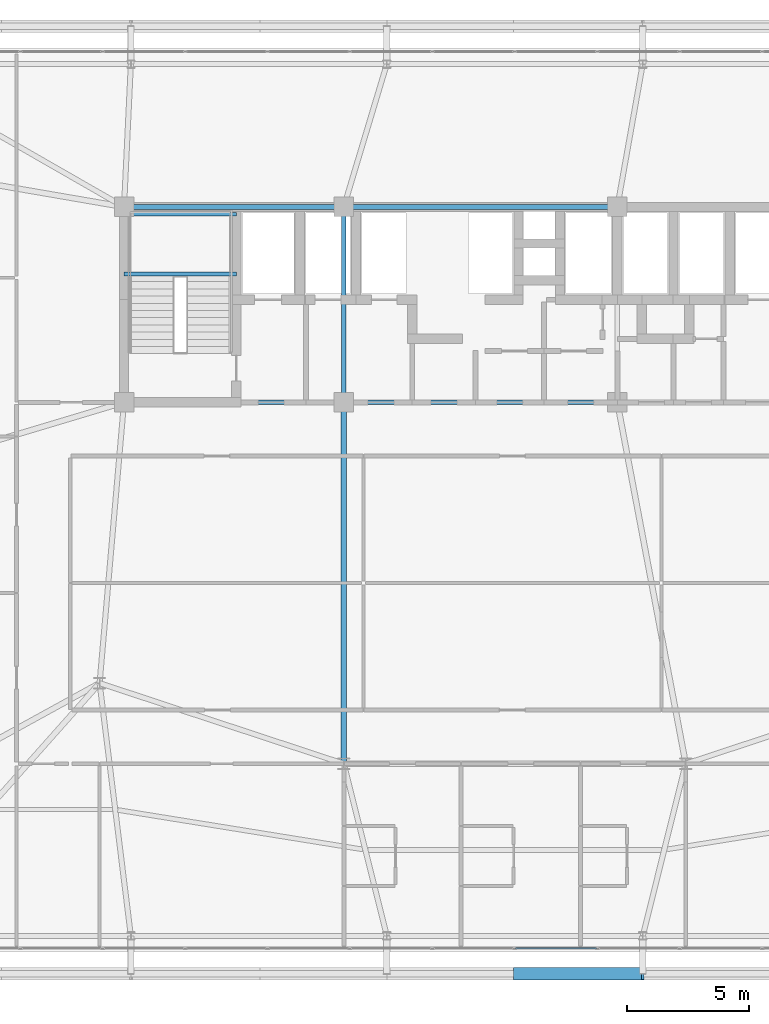
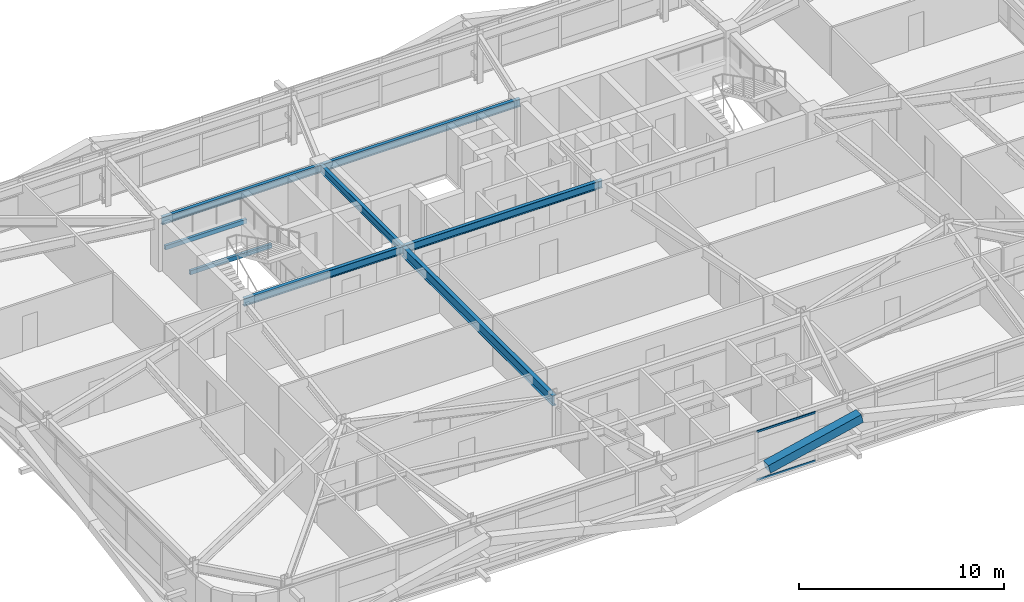
# One storey, part 19 of 59: 8 beams, 3 members, 1 element without a shape of its own.
"""IFC4 building model written with IfcOpenShell, lengths in metres."""

from ifc_helpers import new_model, si_unit, direction, frame, origin, origin_2d, place, context, subcontext, project, spatial, hollow_rectangle, i_section, extrude, source, transform, mapped, material, layer, layer_set, material_profile, profile_set, type_object, element, aggregate, save


model = new_model("IFC4")

# Units and contexts
model_context = context("Model", 3, precision=1e-05, world=origin(), true_north=direction((0.0, 1.0)))
body_context = subcontext(model_context, "Body", "Model", "MODEL_VIEW")
ifc_project = project(units=[si_unit("LENGTHUNIT", "METRE"), si_unit("AREAUNIT", "SQUARE_METRE"), si_unit("VOLUMEUNIT", "CUBIC_METRE"), si_unit("PLANEANGLEUNIT", "RADIAN"), si_unit("MASSUNIT", "GRAM", prefix="KILO")], contexts=[model_context])

# Site, building, storey
site_placement = place(None, origin())
site = spatial("IfcSite", under=ifc_project, at=site_placement, CompositionType="ELEMENT")
building_placement = place(site_placement, origin())
building = spatial("IfcBuilding", under=site, at=building_placement, Name="Taldren Reach Tower", CompositionType="ELEMENT")
storey_placement = place(building_placement, frame((0.0, 0.0, 48.300048828125)))
storey = spatial("IfcBuildingStorey", under=building, at=storey_placement, Name="L14", CompositionType="ELEMENT", Elevation=48.300048828125)

# Beams
ifc_material_1 = material(Name="Steel Gr 350 (350PLUS)", Category="steel")
ifc_material_profile_1 = material_profile(ifc_material_1, i_section(OverallWidth=0.19091796875, OverallDepth=0.4599609375, WebThickness=0.010009765625, FlangeThickness=0.01611328125, at=origin_2d()), Name="460UB82.1")
ifc_profile_set_1 = profile_set([ifc_material_profile_1], Name="Steel Gr 350 (350PLUS)")
beam_type_1 = type_object("IfcBeamType", Name="BM-UB460A", PredefinedType="BEAM", material=ifc_profile_set_1)
shared_shape_1 = source(origin(), body_context, "Body", "SweptSolid", [
    extrude(i_section(OverallWidth=0.19091796875, OverallDepth=0.4599609375, WebThickness=0.010009765625, FlangeThickness=0.01611328125, at=origin_2d()), origin(), (0.0, 0.0, 1.0), 9.0),
])
for number, where, z_axis, x_axis, name in (
    (1, (19.0, 24.0, 2.699951171875), (1.0, 0.0, 0.0), (0.0, 1.0, 0.0), "Core-spine girder L14-SP01"),
    (2, (19.0, 32.0, 2.699951171875), (1.0, 0.0, 0.0), (0.0, 1.0, 0.0), "Core-spine girder L14-SP04"),
):
    element("IfcBeam", number, at=place(storey_placement, frame(where, z_axis=z_axis, x_axis=x_axis)), inside=storey, type_object=beam_type_1, Name=name, PredefinedType="BEAM", context=body_context, shape_type="MappedRepresentation", body=[
        mapped(shared_shape_1, transform((0.0, 0.0, 0.0), scale=1.0)),
    ])
shared_shape_2 = source(origin(), body_context, "Body", "SweptSolid", [
    extrude(i_section(OverallWidth=0.19091796875, OverallDepth=0.4599609375, WebThickness=0.010009765625, FlangeThickness=0.01611328125, at=origin_2d()), origin(), (0.0, 0.0, 1.0), 11.199951171875),
])
for number, where, z_axis, x_axis, name in (
    (3, (28.0, 24.0, 2.699951171875), (1.0, 0.0, 0.0), (0.0, 1.0, 0.0), "Core-spine girder L14-SP02"),
    (4, (28.0, 32.0, 2.699951171875), (1.0, 0.0, 0.0), (0.0, 1.0, 0.0), "Core-spine girder L14-SP05"),
):
    element("IfcBeam", number, at=place(storey_placement, frame(where, z_axis=z_axis, x_axis=x_axis)), inside=storey, type_object=beam_type_1, Name=name, PredefinedType="BEAM", context=body_context, shape_type="MappedRepresentation", body=[
        mapped(shared_shape_2, transform((0.0, 0.0, 0.0), scale=1.0)),
    ])
shared_shape_3 = source(origin(), body_context, "Body", "SweptSolid", [
    extrude(i_section(OverallWidth=0.19091796875, OverallDepth=0.4599609375, WebThickness=0.010009765625, FlangeThickness=0.01611328125, at=origin_2d()), origin(), (0.0, 0.0, 1.0), 8.0),
])
beam_1_placement = place(storey_placement, frame((28.0, 24.0, 2.699951171875), z_axis=(0.0, 1.0, 0.0), x_axis=(-1.0, 0.0, 0.0)))
element("IfcBeam", 5, at=beam_1_placement, inside=storey, type_object=beam_type_1, Name="Core-spine girder L14-SP07", PredefinedType="BEAM", context=body_context, shape_type="MappedRepresentation", body=[
    mapped(shared_shape_3, transform((0.0, 0.0, 0.0), scale=1.0)),
])
ifc_material_profile_2 = material_profile(ifc_material_1, i_section(OverallWidth=0.22802734375, OverallDepth=0.60205078125, WebThickness=0.010498046875, FlangeThickness=0.014892578125, at=origin_2d()), Name="610UB101")
ifc_profile_set_2 = profile_set([ifc_material_profile_2], Name="Steel Gr 350 (350PLUS)")
beam_type_2 = type_object("IfcBeamType", Name="BM-UB610B", PredefinedType="BEAM", material=ifc_profile_set_2)
shared_shape_4 = source(origin(), body_context, "Body", "SweptSolid", [
    extrude(i_section(OverallWidth=0.22802734375, OverallDepth=0.60205078125, WebThickness=0.010498046875, FlangeThickness=0.014892578125, at=origin_2d()), origin(), (0.0, 0.0, 1.0), 14.800048828125),
])
beam_2_placement = place(storey_placement, frame((28.0, 24.0, 2.62890625), z_axis=(0.0, -1.0, 0.0), x_axis=(1.0, 0.0, 0.0)))
element("IfcBeam", 6, at=beam_2_placement, inside=storey, type_object=beam_type_2, Name="Core-spine girder L14-SP14", PredefinedType="BEAM", context=body_context, shape_type="MappedRepresentation", body=[
    mapped(shared_shape_4, transform((0.0, 0.0, 0.0), scale=1.0)),
])

# Member
ifc_material_2 = material(Name="Steel Gr 450 (C450L0)", Category="steel")
ifc_material_profile_3 = material_profile(ifc_material_2, hollow_rectangle(XDim=0.510009765625, YDim=0.510009765625, WallThickness=0.02001953125, at=origin_2d()), Name="510x510x20.0SHS")
ifc_profile_set_3 = profile_set([ifc_material_profile_3], Name="Steel Gr 450 (C450L0)")
member_type_1 = type_object("IfcMemberType", Name="MB-EXO508", PredefinedType="BRACE", material=ifc_profile_set_3)
shared_shape_5 = source(origin(), body_context, "Body", "SweptSolid", [
    extrude(hollow_rectangle(XDim=0.510009765625, YDim=0.510009765625, WallThickness=0.02001953125, at=origin_2d()), origin(), (0.0, 0.0, 1.0), 5.37890625),
])
member_1_placement = place(storey_placement, frame((35.0, 0.60009765625, 1.43505859375), z_axis=(0.974161966843, 0.0, 0.225850531007), x_axis=(0.0, 1.0, 0.0)))
element("IfcMember", 7, at=member_1_placement, inside=storey, type_object=member_type_1, Name="Exoskeleton Diagrid Brace B1-S3 L14", PredefinedType="BRACE", context=body_context, shape_type="MappedRepresentation", body=[
    mapped(shared_shape_5, transform((0.0, 0.0, 0.0), scale=1.0)),
])

# Curtain wall, members
ifc_material_3 = material(Name="Aluminium and Low-E Glass Unitised System", Category="aluminium")
ifc_layer = layer(ifc_material_3, 0.159912109375)
ifc_layer_set = layer_set([ifc_layer], Name="Aluminium and Low-E Glass Unitised System")
curtain_wall_type = type_object("IfcCurtainWallType", Name="CW-SYS-2", PredefinedType="NOTDEFINED", material=ifc_layer_set)
curtain_wall_placement = place(storey_placement, origin())
curtain_wall = element("IfcCurtainWall", 8, at=curtain_wall_placement, inside=storey, type_object=curtain_wall_type, Name="Unitised curtain wall CW-L14-S", PredefinedType="NOTDEFINED")
ifc_material_4 = material(Name="Anodised Aluminium 6063-T6", Category="aluminium")
ifc_material_profile_4 = material_profile(ifc_material_4, hollow_rectangle(XDim=0.054931640625, YDim=0.1201171875, WallThickness=0.0029296875, at=origin_2d()), Name="ALU-120x55x3RHS")
ifc_profile_set_4 = profile_set([ifc_material_profile_4], Name="Anodised Aluminium 6063-T6")
member_type_2 = type_object("IfcMemberType", Name="CW-TRN-135", PredefinedType="USERDEFINED", material=ifc_profile_set_4)
shared_shape_6 = source(origin(), body_context, "Body", "SweptSolid", [
    extrude(hollow_rectangle(XDim=0.054931640625, YDim=0.1201171875, WallThickness=0.0029296875, at=origin_2d()), origin(), (0.0, 0.0, 1.0), 3.31005859375),
])
member_2_placement = place(storey_placement, frame((35.032470703125, 1.639892578125, 0.02734375), z_axis=(1.0, 0.0, 0.0), x_axis=(0.0, 1.0, 0.0)))
member_2 = element("IfcMember", 9, at=member_2_placement, type_object=member_type_2, Name="CW-2 transom 9.1", ObjectType="TRANSOM", PredefinedType="USERDEFINED", context=body_context, shape_type="MappedRepresentation", body=[
    mapped(shared_shape_6, transform((0.0, 0.0, 0.0), scale=1.0)),
])
member_3_placement = place(storey_placement, frame((35.032470703125, 1.639892578125, 2.90234375), z_axis=(1.0, 0.0, 0.0), x_axis=(0.0, 1.0, 0.0)))
member_3 = element("IfcMember", 10, at=member_3_placement, type_object=member_type_2, Name="CW-2 transom 9.2", ObjectType="TRANSOM", PredefinedType="USERDEFINED", context=body_context, shape_type="MappedRepresentation", body=[
    mapped(shared_shape_6, transform((0.0, 0.0, 0.0), scale=1.0)),
])
aggregate(curtain_wall, [member_2, member_3])

# Beams
ifc_material_5 = material(Name="Steel Gr 350 (C350L0)", Category="steel")
ifc_material_profile_5 = material_profile(ifc_material_5, hollow_rectangle(XDim=0.14990234375, YDim=0.25, WallThickness=0.009033203125, at=origin_2d()), Name="250x150x9.0RHS")
ifc_profile_set_5 = profile_set([ifc_material_profile_5], Name="Steel Gr 350 (C350L0)")
beam_type_3 = type_object("IfcBeamType", Name="LN-RHS250", PredefinedType="LINTEL", material=ifc_profile_set_5)
shared_shape_7 = source(origin(), body_context, "Body", "SweptSolid", [
    extrude(hollow_rectangle(XDim=0.14990234375, YDim=0.25, WallThickness=0.009033203125, at=origin_2d()), origin(), (0.0, 0.0, 1.0), 4.60009765625),
])
for number, where, z_axis, x_axis, name in (
    (11, (19.0, 29.2548828125, 1.27001953125), (1.0, 0.0, 0.0), (0.0, 1.0, 0.0), "Stair half-landing support beam ST1-L14-1"),
    (12, (19.0, 31.699951171875, 1.27001953125), (1.0, 0.0, 0.0), (0.0, 1.0, 0.0), "Stair half-landing support beam ST1-L14-2"),
):
    element("IfcBeam", number, at=place(storey_placement, frame(where, z_axis=z_axis, x_axis=x_axis)), inside=storey, type_object=beam_type_3, Name=name, PredefinedType="LINTEL", context=body_context, shape_type="MappedRepresentation", body=[
        mapped(shared_shape_7, transform((0.0, 0.0, 0.0), scale=1.0)),
    ])

save(model, "model.ifc")
